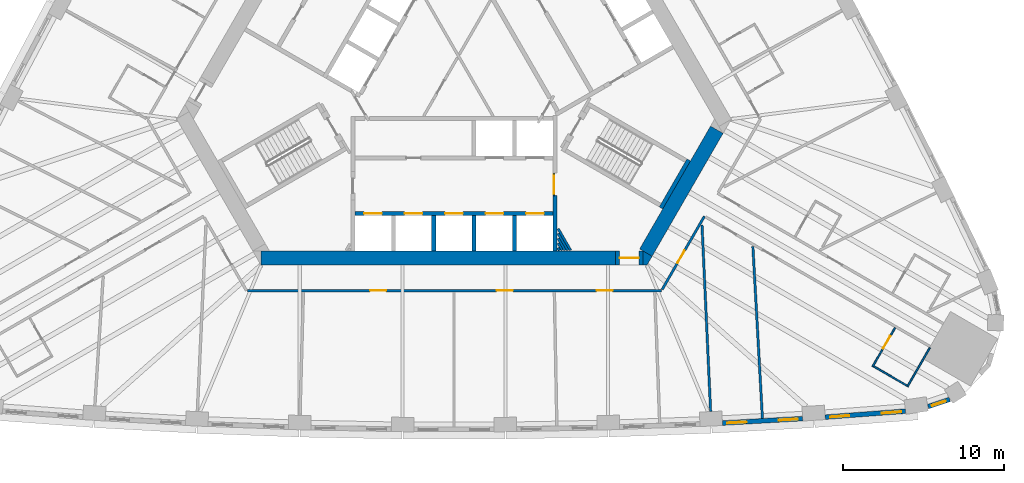
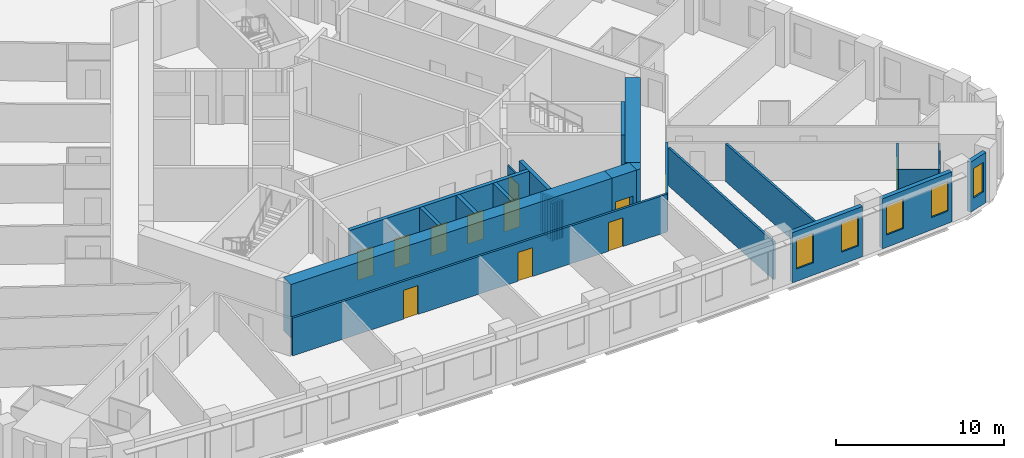
# One storey, part 6 of 12: 26 walls, 12 doors, 5 windows, 17 openings.
"""IFC4 building model written with IfcOpenShell, lengths in metres."""

import ifcopenshell
import ifcopenshell.guid

model = None  # the IFC model being written
_history = None  # IfcOwnerHistory: only IFC2X3 demands one
_inside = {}  # id of a spatial element -> (the spatial element, [elements in it])
_under = {}  # id of a project, library or spatial element -> (it, [spatial elements below it])
_declared = {}  # id of a project -> (the project, [libraries it declares])
_typed = {}  # id of a type object -> (the type object, [elements of that type])
_made_of = {}  # id of a material, layer set ... -> (it, [elements and type objects made of it])


def new_model(schema):
    """Start an empty IFC model of exactly this schema.

    Asked for "IFC4X3", IfcOpenShell would pick the latest addendum, in which some entities
    have other attributes; the version numbers below select the first issue.
    IFC2X3 requires an IfcOwnerHistory on every rooted entity: one is made here for all.
    """
    global model, _history
    if schema == "IFC4X3":
        model = ifcopenshell.file(schema_version=(4, 3, 0, 0))
    else:
        model = ifcopenshell.file(schema=schema)
    _inside.clear()
    _under.clear()
    _declared.clear()
    _typed.clear()
    _made_of.clear()
    _history = None
    if model.schema == "IFC2X3":
        org = make("IfcOrganization", Name="unknown")
        user = make(
            "IfcPersonAndOrganization",
            ThePerson=make("IfcPerson", FamilyName="unknown"),
            TheOrganization=org,
        )
        app = make(
            "IfcApplication",
            ApplicationDeveloper=org,
            Version="unknown",
            ApplicationFullName="unknown",
            ApplicationIdentifier="unknown",
        )
        _history = make(
            "IfcOwnerHistory",
            OwningUser=user,
            OwningApplication=app,
            ChangeAction="ADDED",
            CreationDate=0,
        )
    return model


def make(cls, **values):
    """One entity of the class cls with the attributes given. An attribute that is None is left unset."""
    return model.create_entity(
        cls, **{name: value for name, value in values.items() if value is not None}
    )


def rooted(cls, **values):
    """An entity with a GlobalId (a new one), such as an element, a storey or a relation."""
    return make(cls, GlobalId=ifcopenshell.guid.new(), OwnerHistory=_history, **values)


def si_unit(unit_type, name, prefix=None):
    """IfcSIUnit, for example si_unit("LENGTHUNIT", "METRE", prefix="MILLI")."""
    return make("IfcSIUnit", UnitType=unit_type, Prefix=prefix, Name=name)


def assignment(units):
    """IfcUnitAssignment: the units of a project."""
    return None if units is None else make("IfcUnitAssignment", Units=units)


def point(xyz):
    """IfcCartesianPoint."""
    return None if xyz is None else make("IfcCartesianPoint", Coordinates=xyz)


def direction(xyz):
    """IfcDirection."""
    return None if xyz is None else make("IfcDirection", DirectionRatios=xyz)


def frame(location, z_axis=None, x_axis=None):
    """IfcAxis2Placement3D, a coordinate frame: its origin and axes. An axis left out is left unset."""
    return make(
        "IfcAxis2Placement3D",
        Location=point(location),
        Axis=direction(z_axis),
        RefDirection=direction(x_axis),
    )


def frame_2d(location, x_axis=None):
    """IfcAxis2Placement2D, a coordinate frame in the plane: its origin and x axis."""
    return make(
        "IfcAxis2Placement2D", Location=point(location), RefDirection=direction(x_axis)
    )


def origin():
    """The frame at (0, 0, 0) with its axes left unset."""
    return frame((0.0, 0.0, 0.0))


def place(relative_to, where):
    """IfcLocalPlacement: puts the frame where relative to a parent placement (None: the world)."""
    return make(
        "IfcLocalPlacement", PlacementRelTo=relative_to, RelativePlacement=where
    )


def context(
    kind, dimensions, precision=None, world=None, true_north=None, identifier=None
):
    """IfcGeometricRepresentationContext, for example the 3D "Model" context."""
    return make(
        "IfcGeometricRepresentationContext",
        ContextIdentifier=identifier,
        ContextType=kind,
        CoordinateSpaceDimension=dimensions,
        Precision=precision,
        WorldCoordinateSystem=world,
        TrueNorth=true_north,
    )


def subcontext(parent, identifier, kind, view, scale=None):
    """IfcGeometricRepresentationSubContext, for example "Body" below "Model"."""
    return make(
        "IfcGeometricRepresentationSubContext",
        ContextIdentifier=identifier,
        ContextType=kind,
        ParentContext=parent,
        TargetScale=scale,
        TargetView=view,
    )


def project(units=None, contexts=None):
    """IfcProject with its units and contexts."""
    return rooted(
        "IfcProject",
        Name="project",
        RepresentationContexts=contexts,
        UnitsInContext=assignment(units),
    )


def spatial(cls, under=None, at=None, **own):
    """A site, building, storey or space (cls), placed at a placement, below another one or the project."""
    s = rooted(cls, ObjectPlacement=at, **own)
    if under is not None:
        _under.setdefault(under.id(), (under, []))[1].append(s)
    return s


def polyline(points):
    """IfcPolyline through the points."""
    return make("IfcPolyline", Points=[point(p) for p in points])


def profile(cls, at=None, kind="AREA", **sizes):
    """A parametric profile (cls). Its sizes go by their IFC names, for example OverallWidth=200.0."""
    return make(cls, ProfileType=kind, Position=at, **sizes)


def rectangle(**sizes):
    """IfcRectangleProfileDef."""
    return profile("IfcRectangleProfileDef", **sizes)


def outline(outer, holes=None, kind="AREA"):
    """IfcArbitraryClosedProfileDef: a profile drawn as a closed curve; with holes, ...WithVoids."""
    if holes is None:
        return make("IfcArbitraryClosedProfileDef", ProfileType=kind, OuterCurve=outer)
    return make(
        "IfcArbitraryProfileDefWithVoids",
        ProfileType=kind,
        OuterCurve=outer,
        InnerCurves=holes,
    )


def extrude(swept, where, along, depth):
    """IfcExtrudedAreaSolid: the profile swept, set in the frame where, extruded along a direction by depth."""
    return make(
        "IfcExtrudedAreaSolid",
        SweptArea=swept,
        Position=where,
        ExtrudedDirection=direction(along),
        Depth=depth,
    )


def shape(context_of_items, identifier, shape_type, items):
    """IfcShapeRepresentation: the items that make up one representation, for example the "Body"."""
    return make(
        "IfcShapeRepresentation",
        ContextOfItems=context_of_items,
        RepresentationIdentifier=identifier,
        RepresentationType=shape_type,
        Items=items,
    )


def material(Name=None, Category=None):
    """IfcMaterial."""
    return make("IfcMaterial", Name=Name, Category=Category)


def layer(
    of_material, thickness, ventilated=None, Name=None, Category=None, Priority=None
):
    """IfcMaterialLayer: one layer of a wall or slab, of a material (None: an air gap)."""
    return make(
        "IfcMaterialLayer",
        Material=of_material,
        LayerThickness=thickness,
        IsVentilated=ventilated,
        Name=Name,
        Category=Category,
        Priority=Priority,
    )


def layer_set(layers, Name=None):
    """IfcMaterialLayerSet."""
    return make("IfcMaterialLayerSet", MaterialLayers=layers, LayerSetName=Name)


def made_of(thing, what):
    """Note that an element or type object is made of a material, layer set ...; save() writes the relation."""
    if what is not None:
        _made_of.setdefault(what.id(), (what, []))[1].append(thing)
    return thing


def type_object(cls, material=None, **own):
    """A type object (cls), such as IfcWallType, which elements share."""
    return made_of(rooted(cls, **own), material)


def element(
    cls,
    number,
    at=None,
    inside=None,
    cuts=None,
    type_object=None,
    material=None,
    context=None,
    identifier="Body",
    shape_type=None,
    held_by="IfcProductDefinitionShape",
    body=None,
    shapes=None,
    **own,
):
    """One element of the class cls, such as IfcWall. Its Tag is "e" and its number.

    at: its placement. inside: the storey or other place that contains it. cuts: it is an
    opening in that element (IfcRelVoidsElement). A single representation is given by context,
    identifier, shape_type and body (its items); several are given by shapes. held_by: the class
    of the entity that holds the representations. save() writes the other relations.
    """
    e = rooted(cls, Tag="e%d" % number, ObjectPlacement=at, **own)
    if body is not None:
        shapes = [shape(context, identifier, shape_type, body)]
    if shapes is not None:
        e.Representation = make(held_by, Representations=shapes)
    if inside is not None:
        _inside.setdefault(inside.id(), (inside, []))[1].append(e)
    if cuts is not None:
        rooted(
            "IfcRelVoidsElement", RelatingBuildingElement=cuts, RelatedOpeningElement=e
        )
    if type_object is not None:
        _typed.setdefault(type_object.id(), (type_object, []))[1].append(e)
    return made_of(e, material)


def fill(opening, filler):
    """IfcRelFillsElement: the door or window that sits in an opening."""
    return rooted(
        "IfcRelFillsElement",
        RelatingOpeningElement=opening,
        RelatedBuildingElement=filler,
    )


def aggregate(whole, parts):
    """IfcRelAggregates: a whole, such as a stair, and the parts it consists of."""
    return rooted("IfcRelAggregates", RelatingObject=whole, RelatedObjects=parts)


def save(model, path):
    """Write the relations noted so far, then the file.

    IfcRelAggregates (storeys below a building ...), IfcRelContainedInSpatialStructure (elements
    in a storey), IfcRelDefinesByType, IfcRelAssociatesMaterial and IfcRelDeclares: one each for
    every whole, place, type object, material and project.
    """
    for whole, parts in _under.values():
        aggregate(whole, parts)
    for where, things in _inside.values():
        rooted(
            "IfcRelContainedInSpatialStructure",
            RelatedElements=things,
            RelatingStructure=where,
        )
    for kind, things in _typed.values():
        rooted("IfcRelDefinesByType", RelatedObjects=things, RelatingType=kind)
    for what, things in _made_of.values():
        rooted("IfcRelAssociatesMaterial", RelatedObjects=things, RelatingMaterial=what)
    for by, libraries in _declared.values():
        rooted("IfcRelDeclares", RelatingContext=by, RelatedDefinitions=libraries)
    model.write(path)


model = new_model("IFC4")

# Units and contexts
model_context = context("Model", 3, precision=1e-05, world=origin(), true_north=direction((0.0, 1.0)))
body_context = subcontext(model_context, "Body", "Model", "MODEL_VIEW")
ifc_project = project(units=[si_unit("LENGTHUNIT", "METRE"), si_unit("AREAUNIT", "SQUARE_METRE"), si_unit("VOLUMEUNIT", "CUBIC_METRE"), si_unit("PLANEANGLEUNIT", "RADIAN"), si_unit("MASSUNIT", "GRAM", prefix="KILO")], contexts=[model_context])

# Site, building, storey
site_placement = place(None, origin())
site = spatial("IfcSite", under=ifc_project, at=site_placement, CompositionType="ELEMENT")
building_placement = place(site_placement, origin())
building = spatial("IfcBuilding", under=site, at=building_placement, Name="Mestral Congress Tower", CompositionType="ELEMENT")
storey_placement = place(building_placement, frame((0.0, 0.0, 47.10009765625)))
storey = spatial("IfcBuildingStorey", under=building, at=storey_placement, Name="L10", CompositionType="ELEMENT", Elevation=47.10009765625)

# Walls
ifc_material_1 = material(Name="Fire-rated board partition")
ifc_layer_1 = layer(ifc_material_1, 0.14990234375)
ifc_layer_set_1 = layer_set([ifc_layer_1], Name="Fire-rated board partition")
wall_type_1 = type_object("IfcWallType", Name="Core partition 150", PredefinedType="PARTITIONING", material=ifc_layer_set_1)
wall_1_placement = place(storey_placement, frame((6.47998046875, -10.7255859375, 0.0), z_axis=(0.0, 0.0, 1.0), x_axis=(0.500017819788, -0.86601511528, 0.0)))
element("IfcWall", 1, at=wall_1_placement, inside=storey, type_object=wall_type_1, Name="L10 core wall", PredefinedType="PARTITIONING", context=body_context, shape_type="SweptSolid", body=[
    extrude(rectangle(XDim=1.55029296875, YDim=0.14990234375, at=frame_2d((0.775146484375, 0.0))), origin(), (0.0, 0.0, 1.0), 2.75),
])
wall_2_placement = place(storey_placement, frame((6.47998046875, -11.025634765625, 0.0), z_axis=(0.0, 0.0, 1.0), x_axis=(0.49995654735, -0.86605048973, 0.0)))
element("IfcWall", 2, at=wall_2_placement, inside=storey, type_object=wall_type_1, Name="L10 core wall", PredefinedType="PARTITIONING", context=body_context, shape_type="SweptSolid", body=[
    extrude(rectangle(XDim=1.20361328125, YDim=0.14990234375, at=frame_2d((0.601806640625, 0.0))), origin(), (0.0, 0.0, 1.0), 2.75),
])
wall_3_placement = place(storey_placement, frame((6.47998046875, -11.32568359375, 0.0), z_axis=(0.0, 0.0, 1.0), x_axis=(0.500059337743, -0.865991142412, 0.0)))
element("IfcWall", 3, at=wall_3_placement, inside=storey, type_object=wall_type_1, Name="L10 core wall", PredefinedType="PARTITIONING", context=body_context, shape_type="SweptSolid", body=[
    extrude(rectangle(XDim=0.857421875, YDim=0.14990234375, at=frame_2d((0.4287109375, 0.0))), origin(), (0.0, 0.0, 1.0), 2.75),
])
wall_4_placement = place(storey_placement, frame((6.47998046875, -11.625732421875, 0.0), z_axis=(0.0, 0.0, 1.0), x_axis=(0.500301480982, -0.865851273677, 0.0)))
element("IfcWall", 4, at=wall_4_placement, inside=storey, type_object=wall_type_1, Name="L10 core wall", PredefinedType="PARTITIONING", context=body_context, shape_type="SweptSolid", body=[
    extrude(rectangle(XDim=0.510986328125, YDim=0.14990234375, at=frame_2d((0.25537109375, 0.0))), origin(), (0.0, 0.0, 1.0), 2.75),
])
wall_5_placement = place(storey_placement, frame((6.47998046875, -11.92578125, 0.0), z_axis=(0.0, 0.0, 1.0), x_axis=(0.500450775723, -0.86576499183, 0.0)))
element("IfcWall", 5, at=wall_5_placement, inside=storey, type_object=wall_type_1, Name="L10 core wall", PredefinedType="PARTITIONING", context=body_context, shape_type="SweptSolid", body=[
    extrude(rectangle(XDim=0.164306640625, YDim=0.14990234375, at=frame_2d((0.08203125, 0.0))), origin(), (0.0, 0.0, 1.0), 2.75),
])

# Wall, opening, door
ifc_layer_2 = layer(ifc_material_1, 0.090087890625)
ifc_layer_set_2 = layer_set([ifc_layer_2], Name="Fire-rated board partition")
wall_type_2 = type_object("IfcWallType", Name="Core partition 150 door-wall 90", PredefinedType="PARTITIONING", material=ifc_layer_set_2)
wall_6_placement = place(storey_placement, frame((6.219970703125, -7.266357421875, 0.0), z_axis=(0.0, 0.0, 1.0), x_axis=(0.0, -1.0, 0.0)))
wall_6 = element("IfcWall", 6, at=wall_6_placement, inside=storey, type_object=wall_type_2, Name="L10 door wall", PredefinedType="PARTITIONING", context=body_context, shape_type="SweptSolid", body=[
    extrude(rectangle(XDim=1.400146484375, YDim=0.090087890625, at=frame_2d((0.7001953125, 0.0))), origin(), (0.0, 0.0, 1.0), 2.75),
])
opening_1_placement = place(wall_6_placement, frame((0.10009765625, 0.0, 0.0)))
opening_1 = element("IfcOpeningElement", 7, at=opening_1_placement, cuts=wall_6, Name="Opening LB0-WL1", PredefinedType="OPENING", context=body_context, shape_type="SweptSolid", body=[
    extrude(rectangle(XDim=1.199951171875, YDim=2.10009765625, at=frame_2d((0.60009765625, 1.050048828125))), frame((0.0, 0.054931640625, 0.0), z_axis=(0.0, -1.0, 0.0), x_axis=(1.0, 0.0, 0.0)), (0.0, 0.0, 1.0), 0.110107421875),
])
ifc_material_2 = material(Name="Fire-rated steel door set", Category="steel")
door_type_1 = type_object("IfcDoorType", Name="Core door LB 1200x2100", OperationType="SINGLE_SWING_LEFT", PredefinedType="DOOR", material=ifc_material_2)
door_1_placement = place(opening_1_placement, origin())
door_1 = element("IfcDoor", 8, at=door_1_placement, inside=storey, type_object=door_type_1, Name="Door LB0-WL1", OperationType="SINGLE_SWING_LEFT", OverallHeight=2.10009765625, OverallWidth=1.199951171875, PredefinedType="DOOR", context=body_context, shape_type="SweptSolid", body=[
    extrude(rectangle(XDim=1.199951171875, YDim=2.10009765625, at=frame_2d((0.60009765625, 1.050048828125))), frame((0.0, 0.02490234375, 0.0), z_axis=(0.0, -1.0, 0.0), x_axis=(1.0, 0.0, 0.0)), (0.0, 0.0, 1.0), 0.050048828125),
])
fill(opening_1, door_1)

# Walls
ifc_material_3 = material(Name="Concrete C60/75", Category="concrete")
ifc_layer_3 = layer(ifc_material_3, 0.89990234375)
ifc_layer_set_3 = layer_set([ifc_layer_3], Name="Concrete C60/75")
wall_type_3 = type_object("IfcWallType", Name="Core wall RC 900", PredefinedType="SOLIDWALL", material=ifc_layer_set_3)
wall_7_placement = place(storey_placement, frame((11.943115234375, -12.214111328125, 0.0), z_axis=(0.0, 0.0, 1.0), x_axis=(0.49998092645, 0.866036415623, 0.0)))
element("IfcWall", 9, at=wall_7_placement, inside=storey, type_object=wall_type_3, Name="L10 core wall", PredefinedType="SOLIDWALL", context=body_context, shape_type="SweptSolid", body=[
    extrude(rectangle(XDim=8.830322265625, YDim=0.89990234375, at=frame_2d((4.4150390625, 0.0))), origin(), (0.0, 0.0, 1.0), 3.89990234375),
])
wall_8_placement = place(storey_placement, origin())
element("IfcWall", 10, at=wall_8_placement, inside=storey, type_object=wall_type_3, Name="L10 core wall", PredefinedType="SOLIDWALL", context=body_context, shape_type="SweptSolid", body=[
    extrude(outline(polyline([(12.0087890625, -13.0), (11.764404296875, -13.0), (11.764404296875, -12.11328125), (12.331787109375, -12.440673828125), (12.0087890625, -13.0)])), origin(), (0.0, 0.0, 1.0), 3.89990234375),
])
wall_9_placement = place(storey_placement, frame((-12.0185546875, -12.550048828125, 0.0), z_axis=(0.0, 0.0, 1.0), x_axis=(1.0, 0.0, 0.0)))
element("IfcWall", 11, at=wall_9_placement, inside=storey, type_object=wall_type_3, Name="L10 core wall", PredefinedType="SOLIDWALL", context=body_context, shape_type="SweptSolid", body=[
    extrude(rectangle(XDim=22.082763671875, YDim=0.89990234375, at=frame_2d((11.04150390625, 0.0))), origin(), (0.0, 0.0, 1.0), 3.89990234375),
])

# Wall, opening, door
wall_10_placement = place(storey_placement, frame((11.764404296875, -12.550048828125, 0.0), z_axis=(0.0, 0.0, 1.0), x_axis=(-1.0, 0.0, 0.0)))
wall_10 = element("IfcWall", 12, at=wall_10_placement, inside=storey, type_object=wall_type_3, Name="L10 door wall", PredefinedType="SOLIDWALL", context=body_context, shape_type="SweptSolid", body=[
    extrude(rectangle(XDim=1.699951171875, YDim=0.89990234375, at=frame_2d((0.85009765625, 0.0))), origin(), (0.0, 0.0, 1.0), 3.89990234375),
])
opening_2_placement = place(wall_10_placement, frame((0.25, 0.0, 0.0)))
opening_2 = element("IfcOpeningElement", 13, at=opening_2_placement, cuts=wall_10, Name="Opening XD1", PredefinedType="OPENING", context=body_context, shape_type="SweptSolid", body=[
    extrude(rectangle(XDim=1.199951171875, YDim=2.10009765625, at=frame_2d((0.60009765625, 1.050048828125))), frame((0.0, 0.4599609375, 0.0), z_axis=(0.0, -1.0, 0.0), x_axis=(1.0, 0.0, 0.0)), (0.0, 0.0, 1.0), 0.919921875),
])
door_type_2 = type_object("IfcDoorType", Name="Core door XD 1200x2100", OperationType="SINGLE_SWING_LEFT", PredefinedType="DOOR", material=ifc_material_2)
door_2_placement = place(opening_2_placement, origin())
door_2 = element("IfcDoor", 14, at=door_2_placement, inside=storey, type_object=door_type_2, Name="Door XD1", OperationType="SINGLE_SWING_LEFT", OverallHeight=2.10009765625, OverallWidth=1.199951171875, PredefinedType="DOOR", context=body_context, shape_type="SweptSolid", body=[
    extrude(rectangle(XDim=1.199951171875, YDim=2.10009765625, at=frame_2d((0.60009765625, 1.050048828125))), frame((0.0, 0.02490234375, 0.0), z_axis=(0.0, -1.0, 0.0), x_axis=(1.0, 0.0, 0.0)), (0.0, 0.0, 1.0), 0.050048828125),
])
fill(opening_2, door_2)

# Wall, openings, windows
ifc_material_4 = material(Name="Precast concrete C40/50 with limestone facing", Category="masonry")
ifc_layer_4 = layer(ifc_material_4, 0.2900390625)
ifc_layer_set_4 = layer_set([ifc_layer_4], Name="Precast concrete C40/50 with limestone facing")
wall_type_4 = type_object("IfcWallType", Name="Facade stone wall 290", PredefinedType="SOLIDWALL", material=ifc_layer_set_4)
wall_11_placement = place(storey_placement, frame((16.7109375, -22.823974609375, 0.0), z_axis=(0.0, 0.0, 1.0), x_axis=(0.998464708705, 0.055391564976, 0.0)))
wall_11 = element("IfcWall", 15, at=wall_11_placement, inside=storey, type_object=wall_type_4, Name="Facade wall F0-07", PredefinedType="SOLIDWALL", context=body_context, shape_type="SweptSolid", body=[
    extrude(rectangle(XDim=4.998046875, YDim=0.2900390625, at=frame_2d((2.4990234375, 0.0))), origin(), (0.0, 0.0, 1.0), 3.64990234375),
])
opening_3_placement = place(wall_11_placement, frame((0.297119140625, 0.0, 0.89990234375)))
opening_3 = element("IfcOpeningElement", 16, at=opening_3_placement, cuts=wall_11, Name="Opening W1", PredefinedType="OPENING", context=body_context, shape_type="SweptSolid", body=[
    extrude(rectangle(XDim=1.199951171875, YDim=2.14990234375, at=frame_2d((0.60009765625, 1.074951171875))), frame((0.0, 0.155029296875, 0.0), z_axis=(0.0, -1.0, 0.0), x_axis=(1.0, 0.0, 0.0)), (0.0, 0.0, 1.0), 0.31005859375),
])
opening_4_placement = place(wall_11_placement, frame((3.501220703125, 0.0, 0.89990234375)))
opening_4 = element("IfcOpeningElement", 17, at=opening_4_placement, cuts=wall_11, Name="Opening W1", PredefinedType="OPENING", context=body_context, shape_type="SweptSolid", body=[
    extrude(rectangle(XDim=1.199951171875, YDim=2.14990234375, at=frame_2d((0.60009765625, 1.074951171875))), frame((0.0, 0.155029296875, 0.0), z_axis=(0.0, -1.0, 0.0), x_axis=(1.0, 0.0, 0.0)), (0.0, 0.0, 1.0), 0.31005859375),
])
ifc_material_5 = material(Name="Clear low-emissivity double glazing", Category="glass")
window_type_1 = type_object("IfcWindowType", Name="Facade punched window 1200 x 2150 sill 900", PartitioningType="DOUBLE_PANEL_VERTICAL", PredefinedType="WINDOW", material=ifc_material_5)
window_1_placement = place(opening_3_placement, origin())
window_1 = element("IfcWindow", 18, at=window_1_placement, inside=storey, type_object=window_type_1, Name="Window F0-07a", OverallHeight=2.14990234375, OverallWidth=1.199951171875, PartitioningType="DOUBLE_PANEL_VERTICAL", PredefinedType="WINDOW", context=body_context, shape_type="SweptSolid", body=[
    extrude(rectangle(XDim=1.199951171875, YDim=2.14990234375, at=frame_2d((0.60009765625, 1.074951171875))), frame((0.0, 0.01513671875, 0.0), z_axis=(0.0, -1.0, 0.0), x_axis=(1.0, 0.0, 0.0)), (0.0, 0.0, 1.0), 0.06005859375),
])
fill(opening_3, window_1)
window_2_placement = place(opening_4_placement, origin())
window_2 = element("IfcWindow", 19, at=window_2_placement, inside=storey, type_object=window_type_1, Name="Window F0-07b", OverallHeight=2.14990234375, OverallWidth=1.199951171875, PartitioningType="DOUBLE_PANEL_VERTICAL", PredefinedType="WINDOW", context=body_context, shape_type="SweptSolid", body=[
    extrude(rectangle(XDim=1.199951171875, YDim=2.14990234375, at=frame_2d((0.60009765625, 1.074951171875))), frame((0.0, 0.01513671875, 0.0), z_axis=(0.0, -1.0, 0.0), x_axis=(1.0, 0.0, 0.0)), (0.0, 0.0, 1.0), 0.06005859375),
])
fill(opening_4, window_2)

wall_12_placement = place(storey_placement, frame((23.10595703125, -22.4560546875, 0.0), z_axis=(0.0, 0.0, 1.0), x_axis=(0.997266290399, 0.073891447643, 0.0)))
wall_12 = element("IfcWall", 20, at=wall_12_placement, inside=storey, type_object=wall_type_4, Name="Facade wall F0-08", PredefinedType="SOLIDWALL", context=body_context, shape_type="SweptSolid", body=[
    extrude(rectangle(XDim=5.005615234375, YDim=0.2900390625, at=frame_2d((2.5029296875, 0.0))), origin(), (0.0, 0.0, 1.0), 3.64990234375),
])
opening_5_placement = place(wall_12_placement, frame((0.31005859375, 0.0, 0.89990234375)))
opening_5 = element("IfcOpeningElement", 21, at=opening_5_placement, cuts=wall_12, Name="Opening W1", PredefinedType="OPENING", context=body_context, shape_type="SweptSolid", body=[
    extrude(rectangle(XDim=1.199951171875, YDim=2.14990234375, at=frame_2d((0.60009765625, 1.074951171875))), frame((0.0, 0.155029296875, 0.0), z_axis=(0.0, -1.0, 0.0), x_axis=(1.0, 0.0, 0.0)), (0.0, 0.0, 1.0), 0.31005859375),
])
opening_6_placement = place(wall_12_placement, frame((3.540283203125, 0.0, 0.89990234375)))
opening_6 = element("IfcOpeningElement", 22, at=opening_6_placement, cuts=wall_12, Name="Opening W1", PredefinedType="OPENING", context=body_context, shape_type="SweptSolid", body=[
    extrude(rectangle(XDim=1.199951171875, YDim=2.14990234375, at=frame_2d((0.60009765625, 1.074951171875))), frame((0.0, 0.155029296875, 0.0), z_axis=(0.0, -1.0, 0.0), x_axis=(1.0, 0.0, 0.0)), (0.0, 0.0, 1.0), 0.31005859375),
])
window_3_placement = place(opening_5_placement, origin())
window_3 = element("IfcWindow", 23, at=window_3_placement, inside=storey, type_object=window_type_1, Name="Window F0-08a", OverallHeight=2.14990234375, OverallWidth=1.199951171875, PartitioningType="DOUBLE_PANEL_VERTICAL", PredefinedType="WINDOW", context=body_context, shape_type="SweptSolid", body=[
    extrude(rectangle(XDim=1.199951171875, YDim=2.14990234375, at=frame_2d((0.60009765625, 1.074951171875))), frame((0.0, 0.01513671875, 0.0), z_axis=(0.0, -1.0, 0.0), x_axis=(1.0, 0.0, 0.0)), (0.0, 0.0, 1.0), 0.06005859375),
])
fill(opening_5, window_3)
window_4_placement = place(opening_6_placement, origin())
window_4 = element("IfcWindow", 24, at=window_4_placement, inside=storey, type_object=window_type_1, Name="Window F0-08b", OverallHeight=2.14990234375, OverallWidth=1.199951171875, PartitioningType="DOUBLE_PANEL_VERTICAL", PredefinedType="WINDOW", context=body_context, shape_type="SweptSolid", body=[
    extrude(rectangle(XDim=1.199951171875, YDim=2.14990234375, at=frame_2d((0.60009765625, 1.074951171875))), frame((0.0, 0.01513671875, 0.0), z_axis=(0.0, -1.0, 0.0), x_axis=(1.0, 0.0, 0.0)), (0.0, 0.0, 1.0), 0.06005859375),
])
fill(opening_6, window_4)

# Wall, opening, window
wall_13_placement = place(storey_placement, frame((29.51171875, -21.80224609375, 0.0), z_axis=(0.0, 0.0, 1.0), x_axis=(0.947903891592, 0.318556450734, 0.0)))
wall_13 = element("IfcWall", 25, at=wall_13_placement, inside=storey, type_object=wall_type_4, Name="Facade wall K0-0", PredefinedType="SOLIDWALL", context=body_context, shape_type="SweptSolid", body=[
    extrude(rectangle(XDim=1.414794921875, YDim=0.2900390625, at=frame_2d((0.70751953125, 0.0))), origin(), (0.0, 0.0, 1.0), 3.64990234375),
])
opening_7_placement = place(wall_13_placement, frame((0.25732421875, 0.0, 0.89990234375)))
opening_7 = element("IfcOpeningElement", 26, at=opening_7_placement, cuts=wall_13, Name="Opening W3", PredefinedType="OPENING", context=body_context, shape_type="SweptSolid", body=[
    extrude(rectangle(XDim=0.89990234375, YDim=2.14990234375, at=frame_2d((0.449951171875, 1.074951171875))), frame((0.0, 0.155029296875, 0.0), z_axis=(0.0, -1.0, 0.0), x_axis=(1.0, 0.0, 0.0)), (0.0, 0.0, 1.0), 0.31005859375),
])
window_type_2 = type_object("IfcWindowType", Name="Facade punched window 900 x 2150 sill 900", PartitioningType="SINGLE_PANEL", PredefinedType="WINDOW", material=ifc_material_5)
window_5_placement = place(opening_7_placement, origin())
window_5 = element("IfcWindow", 27, at=window_5_placement, inside=storey, type_object=window_type_2, Name="Window K0-0", OverallHeight=2.14990234375, OverallWidth=0.89990234375, PartitioningType="SINGLE_PANEL", PredefinedType="WINDOW", context=body_context, shape_type="SweptSolid", body=[
    extrude(rectangle(XDim=0.89990234375, YDim=2.14990234375, at=frame_2d((0.449951171875, 1.074951171875))), frame((0.0, 0.01513671875, 0.0), z_axis=(0.0, -1.0, 0.0), x_axis=(1.0, 0.0, 0.0)), (0.0, 0.0, 1.0), 0.06005859375),
])
fill(opening_7, window_5)

# Wall, opening, door
ifc_material_6 = material(Name="Gypsum board partition on metal studs with mineral wool", Category="composite")
ifc_layer_5 = layer(ifc_material_6, 0.10009765625)
ifc_layer_set_5 = layer_set([ifc_layer_5], Name="Gypsum board partition on metal studs with mineral wool")
wall_type_5 = type_object("IfcWallType", Name="Hotel partition wall 100", PredefinedType="PARTITIONING", material=ifc_layer_set_5)
wall_14_placement = place(storey_placement, frame((27.452392578125, -16.888916015625, 0.0), z_axis=(0.0, 0.0, 1.0), x_axis=(-0.49998411664, -0.866034573852, 0.0)))
wall_14 = element("IfcWall", 28, at=wall_14_placement, inside=storey, type_object=wall_type_5, Name="L10-h-pod09a", PredefinedType="PARTITIONING", context=body_context, shape_type="SweptSolid", body=[
    extrude(rectangle(XDim=2.7998046875, YDim=0.10009765625, at=frame_2d((1.39990234375, 0.0))), origin(), (0.0, 0.0, 1.0), 2.75),
])
opening_8_placement = place(wall_14_placement, frame((0.60009765625, 0.0, 0.0)))
opening_8 = element("IfcOpeningElement", 29, at=opening_8_placement, cuts=wall_14, Name="Opening H02-011", PredefinedType="OPENING", context=body_context, shape_type="SweptSolid", body=[
    extrude(rectangle(XDim=0.89990234375, YDim=2.10009765625, at=frame_2d((0.449951171875, 1.050048828125))), frame((0.0, 0.06005859375, 0.0), z_axis=(0.0, -1.0, 0.0), x_axis=(1.0, 0.0, 0.0)), (0.0, 0.0, 1.0), 0.1201171875),
])
ifc_material_7 = material(Name="Timber veneer door leaf in timber frame", Category="wood")
door_type_3 = type_object("IfcDoorType", Name="Bathroom door 900", OperationType="SINGLE_SWING_LEFT", PredefinedType="DOOR", material=ifc_material_7)
door_3_placement = place(opening_8_placement, origin())
door_3 = element("IfcDoor", 30, at=door_3_placement, inside=storey, type_object=door_type_3, Name="L10-h-d011", OperationType="SINGLE_SWING_RIGHT", OverallHeight=2.10009765625, OverallWidth=0.89990234375, PredefinedType="DOOR", context=body_context, shape_type="SweptSolid", body=[
    extrude(rectangle(XDim=0.89990234375, YDim=2.10009765625, at=frame_2d((0.449951171875, 1.050048828125))), frame((0.0, 0.02490234375, 0.0), z_axis=(0.0, -1.0, 0.0), x_axis=(1.0, 0.0, 0.0)), (0.0, 0.0, 1.0), 0.050048828125),
])
fill(opening_8, door_3)

# Walls
wall_15_placement = place(storey_placement, frame((26.12060546875, -19.29541015625, 0.0), z_axis=(0.0, 0.0, 1.0), x_axis=(0.866006032174, -0.500033551112, 0.0)))
element("IfcWall", 31, at=wall_15_placement, inside=storey, type_object=wall_type_5, Name="L10-h-pod09b", PredefinedType="PARTITIONING", context=body_context, shape_type="SweptSolid", body=[
    extrude(rectangle(XDim=2.400146484375, YDim=0.10009765625, at=frame_2d((1.2001953125, 0.0))), origin(), (0.0, 0.0, 1.0), 2.75),
])
wall_16_placement = place(storey_placement, frame((29.617431640625, -18.138916015625, 0.0), z_axis=(0.0, 0.0, 1.0), x_axis=(-0.49998411664, -0.866034573852, 0.0)))
element("IfcWall", 32, at=wall_16_placement, inside=storey, type_object=wall_type_5, Name="L10-h-pod09c", PredefinedType="PARTITIONING", context=body_context, shape_type="SweptSolid", body=[
    extrude(rectangle(XDim=2.7998046875, YDim=0.10009765625, at=frame_2d((1.39990234375, 0.0))), origin(), (0.0, 0.0, 1.0), 2.75),
])

# Wall, openings, doors
ifc_layer_6 = layer(ifc_material_6, 0.14990234375)
ifc_layer_set_6 = layer_set([ifc_layer_6], Name="Gypsum board partition on metal studs with mineral wool")
wall_type_6 = type_object("IfcWallType", Name="Hotel partition wall 150", PredefinedType="PARTITIONING", material=ifc_layer_set_6)
wall_17_placement = place(storey_placement, frame((12.918212890625, -14.574951171875, 0.0), z_axis=(0.0, 0.0, 1.0), x_axis=(-1.0, 0.0, 0.0)))
wall_17 = element("IfcWall", 33, at=wall_17_placement, inside=storey, type_object=wall_type_6, Name="L10-h-cw13", PredefinedType="PARTITIONING", context=body_context, shape_type="SweptSolid", body=[
    extrude(rectangle(XDim=25.766357421875, YDim=0.14990234375, at=frame_2d((12.88330078125, 0.0))), origin(), (0.0, 0.0, 1.0), 2.75),
])
opening_9_placement = place(wall_17_placement, frame((17.140869140625, 0.0, 0.0)))
opening_9 = element("IfcOpeningElement", 34, at=opening_9_placement, cuts=wall_17, Name="Opening H02-005", PredefinedType="OPENING", context=body_context, shape_type="SweptSolid", body=[
    extrude(rectangle(XDim=1.0, YDim=2.10009765625, at=frame_2d((0.5, 1.050048828125))), frame((0.0, 0.0849609375, 0.0), z_axis=(0.0, -1.0, 0.0), x_axis=(1.0, 0.0, 0.0)), (0.0, 0.0, 1.0), 0.169921875),
])
opening_10_placement = place(wall_17_placement, frame((9.258544921875, 0.0, 0.0)))
opening_10 = element("IfcOpeningElement", 35, at=opening_10_placement, cuts=wall_17, Name="Opening H02-006", PredefinedType="OPENING", context=body_context, shape_type="SweptSolid", body=[
    extrude(rectangle(XDim=1.0, YDim=2.10009765625, at=frame_2d((0.5, 1.050048828125))), frame((0.0, 0.0849609375, 0.0), z_axis=(0.0, -1.0, 0.0), x_axis=(1.0, 0.0, 0.0)), (0.0, 0.0, 1.0), 0.169921875),
])
opening_11_placement = place(wall_17_placement, frame((3.044189453125, 0.0, 0.0)))
opening_11 = element("IfcOpeningElement", 36, at=opening_11_placement, cuts=wall_17, Name="Opening H02-007", PredefinedType="OPENING", context=body_context, shape_type="SweptSolid", body=[
    extrude(rectangle(XDim=1.0, YDim=2.10009765625, at=frame_2d((0.5, 1.050048828125))), frame((0.0, 0.0849609375, 0.0), z_axis=(0.0, -1.0, 0.0), x_axis=(1.0, 0.0, 0.0)), (0.0, 0.0, 1.0), 0.169921875),
])
ifc_material_8 = material(Name="Timber veneer door leaf in metal frame", Category="wood")
door_type_4 = type_object("IfcDoorType", Name="Guest room entrance door 1000", OperationType="SINGLE_SWING_LEFT", PredefinedType="DOOR", material=ifc_material_8)
door_4_placement = place(opening_9_placement, origin())
door_4 = element("IfcDoor", 37, at=door_4_placement, inside=storey, type_object=door_type_4, Name="L10-h-d005", OperationType="SINGLE_SWING_RIGHT", OverallHeight=2.10009765625, OverallWidth=1.0, PredefinedType="DOOR", context=body_context, shape_type="SweptSolid", body=[
    extrude(rectangle(XDim=1.0, YDim=2.10009765625, at=frame_2d((0.5, 1.050048828125))), frame((0.0, 0.02490234375, 0.0), z_axis=(0.0, -1.0, 0.0), x_axis=(1.0, 0.0, 0.0)), (0.0, 0.0, 1.0), 0.050048828125),
])
fill(opening_9, door_4)
door_5_placement = place(opening_10_placement, origin())
door_5 = element("IfcDoor", 38, at=door_5_placement, inside=storey, type_object=door_type_4, Name="L10-h-d006", OperationType="SINGLE_SWING_LEFT", OverallHeight=2.10009765625, OverallWidth=1.0, PredefinedType="DOOR", context=body_context, shape_type="SweptSolid", body=[
    extrude(rectangle(XDim=1.0, YDim=2.10009765625, at=frame_2d((0.5, 1.050048828125))), frame((0.0, 0.02490234375, 0.0), z_axis=(0.0, -1.0, 0.0), x_axis=(1.0, 0.0, 0.0)), (0.0, 0.0, 1.0), 0.050048828125),
])
fill(opening_10, door_5)
door_6_placement = place(opening_11_placement, origin())
door_6 = element("IfcDoor", 39, at=door_6_placement, inside=storey, type_object=door_type_4, Name="L10-h-d007", OperationType="SINGLE_SWING_RIGHT", OverallHeight=2.10009765625, OverallWidth=1.0, PredefinedType="DOOR", context=body_context, shape_type="SweptSolid", body=[
    extrude(rectangle(XDim=1.0, YDim=2.10009765625, at=frame_2d((0.5, 1.050048828125))), frame((0.0, 0.02490234375, 0.0), z_axis=(0.0, -1.0, 0.0), x_axis=(1.0, 0.0, 0.0)), (0.0, 0.0, 1.0), 0.050048828125),
])
fill(opening_11, door_6)

# Wall, opening, door
wall_18_placement = place(storey_placement, frame((15.58740234375, -9.951904296875, 0.0), z_axis=(0.0, 0.0, 1.0), x_axis=(-0.500016618951, -0.866015808616, 0.0)))
wall_18 = element("IfcWall", 40, at=wall_18_placement, inside=storey, type_object=wall_type_6, Name="L10-h-cw14", PredefinedType="PARTITIONING", context=body_context, shape_type="SweptSolid", body=[
    extrude(rectangle(XDim=5.268310546875, YDim=0.14990234375, at=frame_2d((2.63427734375, 0.0))), origin(), (0.0, 0.0, 1.0), 2.75),
])
opening_12_placement = place(wall_18_placement, frame((2.46533203125, 0.0, 0.0)))
opening_12 = element("IfcOpeningElement", 41, at=opening_12_placement, cuts=wall_18, Name="Opening H02-008", PredefinedType="OPENING", context=body_context, shape_type="SweptSolid", body=[
    extrude(rectangle(XDim=0.89990234375, YDim=2.10009765625, at=frame_2d((0.449951171875, 1.050048828125))), frame((0.0, 0.0849609375, 0.0), z_axis=(0.0, -1.0, 0.0), x_axis=(1.0, 0.0, 0.0)), (0.0, 0.0, 1.0), 0.169921875),
])
door_type_5 = type_object("IfcDoorType", Name="Service room door 900", OperationType="SINGLE_SWING_LEFT", PredefinedType="DOOR", material=ifc_material_8)
door_7_placement = place(opening_12_placement, origin())
door_7 = element("IfcDoor", 42, at=door_7_placement, inside=storey, type_object=door_type_5, Name="L10-h-d008", OperationType="SINGLE_SWING_LEFT", OverallHeight=2.10009765625, OverallWidth=0.89990234375, PredefinedType="DOOR", context=body_context, shape_type="SweptSolid", body=[
    extrude(rectangle(XDim=0.89990234375, YDim=2.10009765625, at=frame_2d((0.449951171875, 1.050048828125))), frame((0.0, 0.02490234375, 0.0), z_axis=(0.0, -1.0, 0.0), x_axis=(1.0, 0.0, 0.0)), (0.0, 0.0, 1.0), 0.050048828125),
])
fill(opening_12, door_7)

# Walls
wall_19_placement = place(storey_placement, frame((15.973388671875, -22.10888671875, 0.0), z_axis=(0.0, 0.0, 1.0), x_axis=(-0.046191717129, 0.998932592955, 0.0)))
element("IfcWall", 43, at=wall_19_placement, inside=storey, type_object=wall_type_6, Name="L10-h-pw22", PredefinedType="PARTITIONING", context=body_context, shape_type="SweptSolid", body=[
    extrude(rectangle(XDim=11.638427734375, YDim=0.14990234375, at=frame_2d((5.8193359375, 0.0))), origin(), (0.0, 0.0, 1.0), 2.75),
])
wall_20_placement = place(storey_placement, frame((19.1982421875, -22.540771484375, 0.0), z_axis=(0.0, 0.0, 1.0), x_axis=(-0.055432210572, 0.99846245299, 0.0)))
element("IfcWall", 44, at=wall_20_placement, inside=storey, type_object=wall_type_6, Name="L10-h-pw25", PredefinedType="PARTITIONING", context=body_context, shape_type="SweptSolid", body=[
    extrude(rectangle(XDim=10.72900390625, YDim=0.14990234375, at=frame_2d((5.364501953125, 0.0))), origin(), (0.0, 0.0, 1.0), 2.75),
])
ifc_layer_7 = layer(ifc_material_3, 0.25)
ifc_layer_set_7 = layer_set([ifc_layer_7], Name="Concrete C60/75")
wall_type_7 = type_object("IfcWallType", Name="Shaft wall RC 250", PredefinedType="SOLIDWALL", material=ifc_layer_set_7)
wall_21_placement = place(storey_placement, frame((6.300048828125, -12.10009765625, 0.0), z_axis=(0.0, 0.0, 1.0), x_axis=(0.0, 1.0, 0.0)))
element("IfcWall", 45, at=wall_21_placement, inside=storey, type_object=wall_type_7, Name="L10 core wall", PredefinedType="SOLIDWALL", context=body_context, shape_type="SweptSolid", body=[
    extrude(rectangle(XDim=3.427978515625, YDim=0.25, at=frame_2d((1.7138671875, 0.0))), origin(), (0.0, 0.0, 1.0), 3.89990234375),
])
for number, where, z_axis, x_axis, name in (
    (46, (3.780029296875, -12.10009765625, 0.0), (0.0, 0.0, 1.0), (0.0, 1.0, 0.0), "L10 core wall"),
    (47, (1.260009765625, -12.10009765625, 0.0), (0.0, 0.0, 1.0), (0.0, 1.0, 0.0), "L10 core wall"),
    (48, (-1.260009765625, -12.10009765625, 0.0), (0.0, 0.0, 1.0), (0.0, 1.0, 0.0), "L10 core wall"),
):
    element("IfcWall", number, at=place(storey_placement, frame(where, z_axis=z_axis, x_axis=x_axis)), inside=storey, type_object=wall_type_7, Name=name, PredefinedType="SOLIDWALL", context=body_context, shape_type="SweptSolid", body=[
        extrude(rectangle(XDim=2.199951171875, YDim=0.25, at=frame_2d((1.10009765625, 0.0))), origin(), (0.0, 0.0, 1.0), 3.89990234375),
    ])

# Wall, openings, doors
wall_22_placement = place(storey_placement, frame((-6.175048828125, -9.77490234375, 0.0), z_axis=(0.0, 0.0, 1.0), x_axis=(1.0, 0.0, 0.0)))
wall_22 = element("IfcWall", 49, at=wall_22_placement, inside=storey, type_object=wall_type_7, Name="L10 door wall", PredefinedType="SOLIDWALL", context=body_context, shape_type="SweptSolid", body=[
    extrude(rectangle(XDim=12.35009765625, YDim=0.25, at=frame_2d((6.175048828125, 0.0))), origin(), (0.0, 0.0, 1.0), 3.89990234375),
])
opening_13_placement = place(wall_22_placement, frame((0.5849609375, 0.0, 0.0)))
opening_13 = element("IfcOpeningElement", 50, at=opening_13_placement, cuts=wall_22, Name="Opening LD-SOA1", PredefinedType="OPENING", context=body_context, shape_type="SweptSolid", body=[
    extrude(rectangle(XDim=1.10009765625, YDim=2.10009765625, at=frame_2d((0.550048828125, 1.050048828125))), frame((0.0, 0.135009765625, 0.0), z_axis=(0.0, -1.0, 0.0), x_axis=(1.0, 0.0, 0.0)), (0.0, 0.0, 1.0), 0.27001953125),
])
opening_14_placement = place(wall_22_placement, frame((3.10498046875, 0.0, 0.0)))
opening_14 = element("IfcOpeningElement", 51, at=opening_14_placement, cuts=wall_22, Name="Opening LD-SOA2", PredefinedType="OPENING", context=body_context, shape_type="SweptSolid", body=[
    extrude(rectangle(XDim=1.10009765625, YDim=2.10009765625, at=frame_2d((0.550048828125, 1.050048828125))), frame((0.0, 0.135009765625, 0.0), z_axis=(0.0, -1.0, 0.0), x_axis=(1.0, 0.0, 0.0)), (0.0, 0.0, 1.0), 0.27001953125),
])
opening_15_placement = place(wall_22_placement, frame((5.625, 0.0, 0.0)))
opening_15 = element("IfcOpeningElement", 52, at=opening_15_placement, cuts=wall_22, Name="Opening LD-SOA3", PredefinedType="OPENING", context=body_context, shape_type="SweptSolid", body=[
    extrude(rectangle(XDim=1.10009765625, YDim=2.10009765625, at=frame_2d((0.550048828125, 1.050048828125))), frame((0.0, 0.135009765625, 0.0), z_axis=(0.0, -1.0, 0.0), x_axis=(1.0, 0.0, 0.0)), (0.0, 0.0, 1.0), 0.27001953125),
])
opening_16_placement = place(wall_22_placement, frame((8.14501953125, 0.0, 0.0)))
opening_16 = element("IfcOpeningElement", 53, at=opening_16_placement, cuts=wall_22, Name="Opening LD-SOA4", PredefinedType="OPENING", context=body_context, shape_type="SweptSolid", body=[
    extrude(rectangle(XDim=1.10009765625, YDim=2.10009765625, at=frame_2d((0.550048828125, 1.050048828125))), frame((0.0, 0.135009765625, 0.0), z_axis=(0.0, -1.0, 0.0), x_axis=(1.0, 0.0, 0.0)), (0.0, 0.0, 1.0), 0.27001953125),
])
opening_17_placement = place(wall_22_placement, frame((10.6650390625, 0.0, 0.0)))
opening_17 = element("IfcOpeningElement", 54, at=opening_17_placement, cuts=wall_22, Name="Opening LD-SOA5", PredefinedType="OPENING", context=body_context, shape_type="SweptSolid", body=[
    extrude(rectangle(XDim=1.10009765625, YDim=2.10009765625, at=frame_2d((0.550048828125, 1.050048828125))), frame((0.0, 0.135009765625, 0.0), z_axis=(0.0, -1.0, 0.0), x_axis=(1.0, 0.0, 0.0)), (0.0, 0.0, 1.0), 0.27001953125),
])
door_type_6 = type_object("IfcDoorType", Name="Core door LD 1100x2100", OperationType="DOUBLE_DOOR_SLIDING", PredefinedType="DOOR", material=ifc_material_2)
door_8_placement = place(opening_13_placement, origin())
door_8 = element("IfcDoor", 55, at=door_8_placement, inside=storey, type_object=door_type_6, Name="Door LD-SOA1", OperationType="DOUBLE_DOOR_SLIDING", OverallHeight=2.10009765625, OverallWidth=1.10009765625, PredefinedType="DOOR", context=body_context, shape_type="SweptSolid", body=[
    extrude(rectangle(XDim=1.10009765625, YDim=2.10009765625, at=frame_2d((0.550048828125, 1.050048828125))), frame((0.0, 0.02490234375, 0.0), z_axis=(0.0, -1.0, 0.0), x_axis=(1.0, 0.0, 0.0)), (0.0, 0.0, 1.0), 0.050048828125),
])
fill(opening_13, door_8)
door_9_placement = place(opening_14_placement, origin())
door_9 = element("IfcDoor", 56, at=door_9_placement, inside=storey, type_object=door_type_6, Name="Door LD-SOA2", OperationType="DOUBLE_DOOR_SLIDING", OverallHeight=2.10009765625, OverallWidth=1.10009765625, PredefinedType="DOOR", context=body_context, shape_type="SweptSolid", body=[
    extrude(rectangle(XDim=1.10009765625, YDim=2.10009765625, at=frame_2d((0.550048828125, 1.050048828125))), frame((0.0, 0.02490234375, 0.0), z_axis=(0.0, -1.0, 0.0), x_axis=(1.0, 0.0, 0.0)), (0.0, 0.0, 1.0), 0.050048828125),
])
fill(opening_14, door_9)
door_10_placement = place(opening_15_placement, origin())
door_10 = element("IfcDoor", 57, at=door_10_placement, inside=storey, type_object=door_type_6, Name="Door LD-SOA3", OperationType="DOUBLE_DOOR_SLIDING", OverallHeight=2.10009765625, OverallWidth=1.10009765625, PredefinedType="DOOR", context=body_context, shape_type="SweptSolid", body=[
    extrude(rectangle(XDim=1.10009765625, YDim=2.10009765625, at=frame_2d((0.550048828125, 1.050048828125))), frame((0.0, 0.02490234375, 0.0), z_axis=(0.0, -1.0, 0.0), x_axis=(1.0, 0.0, 0.0)), (0.0, 0.0, 1.0), 0.050048828125),
])
fill(opening_15, door_10)
door_11_placement = place(opening_16_placement, origin())
door_11 = element("IfcDoor", 58, at=door_11_placement, inside=storey, type_object=door_type_6, Name="Door LD-SOA4", OperationType="DOUBLE_DOOR_SLIDING", OverallHeight=2.10009765625, OverallWidth=1.10009765625, PredefinedType="DOOR", context=body_context, shape_type="SweptSolid", body=[
    extrude(rectangle(XDim=1.10009765625, YDim=2.10009765625, at=frame_2d((0.550048828125, 1.050048828125))), frame((0.0, 0.02490234375, 0.0), z_axis=(0.0, -1.0, 0.0), x_axis=(1.0, 0.0, 0.0)), (0.0, 0.0, 1.0), 0.050048828125),
])
fill(opening_16, door_11)
door_12_placement = place(opening_17_placement, origin())
door_12 = element("IfcDoor", 59, at=door_12_placement, inside=storey, type_object=door_type_6, Name="Door LD-SOA5", OperationType="DOUBLE_DOOR_SLIDING", OverallHeight=2.10009765625, OverallWidth=1.10009765625, PredefinedType="DOOR", context=body_context, shape_type="SweptSolid", body=[
    extrude(rectangle(XDim=1.10009765625, YDim=2.10009765625, at=frame_2d((0.550048828125, 1.050048828125))), frame((0.0, 0.02490234375, 0.0), z_axis=(0.0, -1.0, 0.0), x_axis=(1.0, 0.0, 0.0)), (0.0, 0.0, 1.0), 0.050048828125),
])
fill(opening_17, door_12)

# Wall
ifc_layer_8 = layer(ifc_material_3, 0.25)
ifc_layer_set_8 = layer_set([ifc_layer_8], Name="Concrete C60/75")
wall_type_8 = type_object("IfcWallType", Name="Stair wall RC 250", PredefinedType="SOLIDWALL", material=ifc_layer_set_8)
wall_23_placement = place(storey_placement, frame((12.885498046875, -9.431396484375, 0.0), z_axis=(0.0, 0.0, 1.0), x_axis=(0.500020560727, 0.866013532718, 0.0)))
element("IfcWall", 60, at=wall_23_placement, inside=storey, type_object=wall_type_8, Name="L10 core wall", PredefinedType="SOLIDWALL", context=body_context, shape_type="SweptSolid", body=[
    extrude(rectangle(XDim=3.449951171875, YDim=0.25, at=frame_2d((1.72509765625, 0.0))), origin(), (0.0, 0.0, 1.0), 3.89990234375),
])

save(model, "model.ifc")
